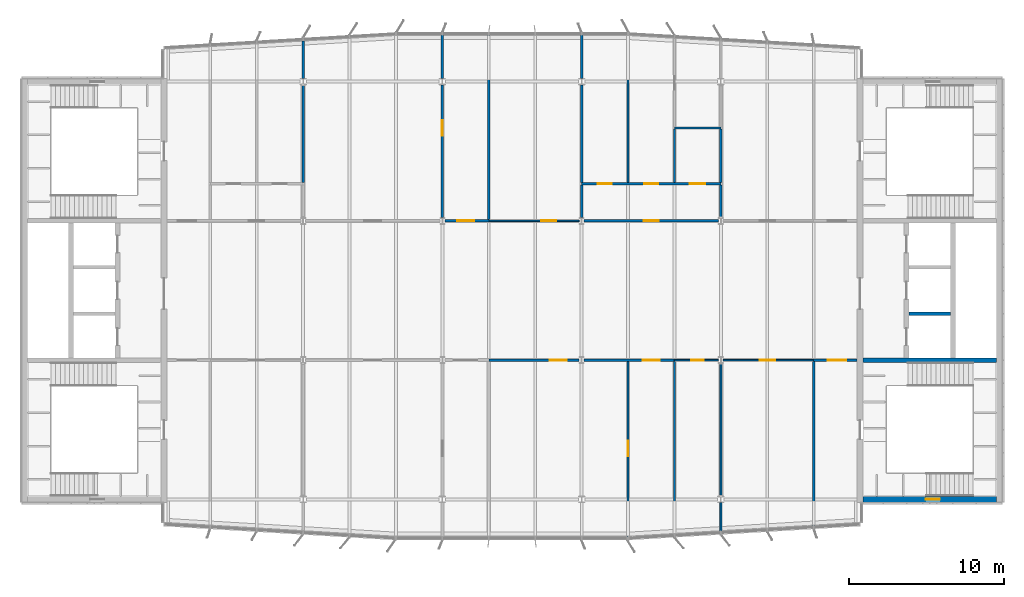
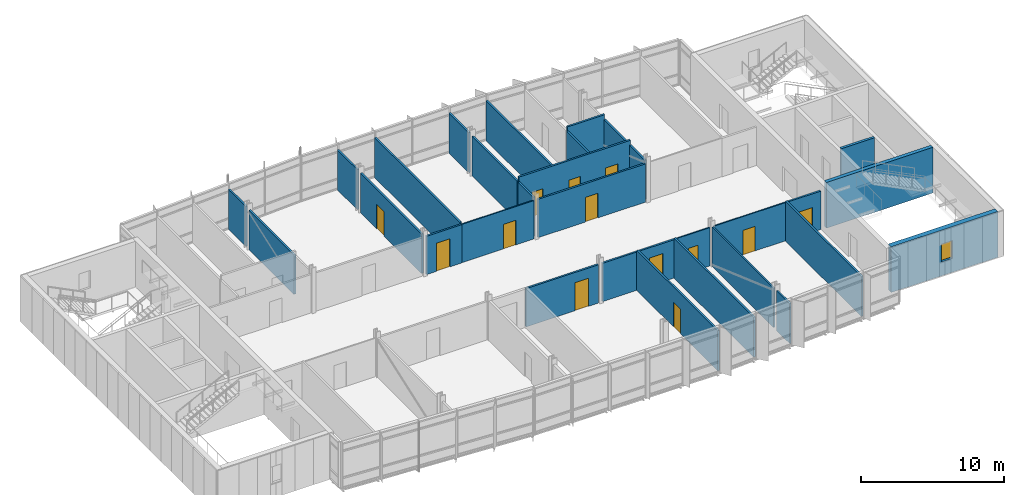
# One storey, part 13 of 18: 30 walls, 13 doors, 1 window, 14 openings.
"""IFC4 building model written with IfcOpenShell, lengths in metres."""

from ifc_helpers import new_model, si_unit, direction, frame, frame_2d, origin, place, context, subcontext, project, spatial, rectangle, extrude, material, layer, layer_set, type_object, element, fill, save


model = new_model("IFC4")

# Units and contexts
model_context = context("Model", 3, precision=1e-05, world=origin(), true_north=direction((0.0, 1.0)))
body_context = subcontext(model_context, "Body", "Model", "MODEL_VIEW")
ifc_project = project(units=[si_unit("LENGTHUNIT", "METRE"), si_unit("AREAUNIT", "SQUARE_METRE"), si_unit("VOLUMEUNIT", "CUBIC_METRE"), si_unit("PLANEANGLEUNIT", "RADIAN"), si_unit("MASSUNIT", "GRAM", prefix="KILO")], contexts=[model_context])

# Site, building, storey
site_placement = place(None, origin())
site = spatial("IfcSite", under=ifc_project, at=site_placement, CompositionType="ELEMENT")
building_placement = place(site_placement, origin())
building = spatial("IfcBuilding", under=site, at=building_placement, Name="Azimuth Sports and Learning Centre", CompositionType="ELEMENT")
storey_placement = place(building_placement, frame((0.0, 0.0, 63.60009765625)))
storey = spatial("IfcBuildingStorey", under=building, at=storey_placement, Name="L14", CompositionType="ELEMENT", Elevation=63.60009765625)

# Wall
ifc_material_1 = material(Name="Dense masonry blockwork", Category="masonry")
ifc_layer_1 = layer(ifc_material_1, 0.199951171875)
ifc_layer_set_1 = layer_set([ifc_layer_1], Name="Dense masonry blockwork")
wall_type_1 = type_object("IfcWallType", Name="Blockwork wall 200 EI 120", PredefinedType="SOLIDWALL", material=ifc_layer_set_1)
wall_1_placement = place(storey_placement, frame((111.14990234375, 102.0, 0.0), z_axis=(0.0, 0.0, 1.0), x_axis=(1.0, 0.0, 0.0)))
element("IfcWall", 1, at=wall_1_placement, inside=storey, type_object=wall_type_1, Name="SD-E-1-L14", PredefinedType="SOLIDWALL", context=body_context, shape_type="SweptSolid", body=[
    extrude(rectangle(XDim=2.7001953125, YDim=0.199951171875, at=frame_2d((1.35009765625, 0.0))), origin(), (0.0, 0.0, 1.0), 3.89990234375),
])

# Wall, opening, door
ifc_material_2 = material(Name="Gypsum board on steel studs", Category="steel")
ifc_layer_2 = layer(ifc_material_2, 0.10009765625)
ifc_layer_set_2 = layer_set([ifc_layer_2], Name="Gypsum board on steel studs")
wall_type_2 = type_object("IfcWallType", Name="Partition 100 EI 30", PredefinedType="PARTITIONING", material=ifc_layer_set_2)
wall_2_placement = place(storey_placement, frame((96.0, 99.0, 0.0), z_axis=(0.0, 0.0, 1.0), x_axis=(1.0, 0.0, 0.0)))
wall_2 = element("IfcWall", 2, at=wall_2_placement, inside=storey, type_object=wall_type_2, Name="Partition Cleaner Store 14.12 / Seminar Room 14.13", PredefinedType="PARTITIONING", context=body_context, shape_type="SweptSolid", body=[
    extrude(rectangle(XDim=2.846435546875, YDim=0.10009765625, at=frame_2d((1.42333984375, 0.0))), origin(), (0.0, 0.0, 1.0), 3.27001953125),
])
opening_1_placement = place(wall_2_placement, frame((1.10009765625, 0.0, 0.0)))
opening_1 = element("IfcOpeningElement", 3, at=opening_1_placement, cuts=wall_2, Name="Opening D14-020", PredefinedType="OPENING", context=body_context, shape_type="SweptSolid", body=[
    extrude(rectangle(XDim=0.800048828125, YDim=2.10009765625, at=frame_2d((0.39990234375, 1.050048828125))), frame((0.0, 0.06103515625, 0.0), z_axis=(0.0, -1.0, 0.0), x_axis=(1.0, 0.0, 0.0)), (0.0, 0.0, 1.0), 0.1220703125),
])
ifc_material_3 = material(Name="Painted steel door set", Category="steel")
door_type_1 = type_object("IfcDoorType", Name="Fire door FD30S 800 x 2100", OperationType="NOTDEFINED", PredefinedType="DOOR", material=ifc_material_3)
door_1_placement = place(opening_1_placement, frame((0.800048828125, 0.0, 0.0), z_axis=(0.0, 0.0, 1.0), x_axis=(-1.0, 0.0, 0.0)))
door_1 = element("IfcDoor", 4, at=door_1_placement, inside=storey, type_object=door_type_1, Name="Door Cleaner Store 14.12 / Learning Street", OperationType="SINGLE_SWING_LEFT", OverallHeight=2.10009765625, OverallWidth=0.800048828125, PredefinedType="DOOR", context=body_context, shape_type="SweptSolid", body=[
    extrude(rectangle(XDim=0.800048828125, YDim=2.10009765625, at=frame_2d((0.39990234375, 1.050048828125))), frame((0.0, 0.02490234375, 0.0), z_axis=(0.0, -1.0, 0.0), x_axis=(1.0, 0.0, 0.0)), (0.0, 0.0, 1.0), 0.050048828125),
])
fill(opening_1, door_1)

wall_3_placement = place(storey_placement, frame((99.153564453125, 99.0, 0.0), z_axis=(0.0, 0.0, 1.0), x_axis=(1.0, 0.0, 0.0)))
wall_3 = element("IfcWall", 5, at=wall_3_placement, inside=storey, type_object=wall_type_2, Name="Partition Cleaner Store 14.12 / Seminar Room 14.13", PredefinedType="PARTITIONING", context=body_context, shape_type="SweptSolid", body=[
    extrude(rectangle(XDim=5.846435546875, YDim=0.10009765625, at=frame_2d((2.92333984375, 0.0))), origin(), (0.0, 0.0, 1.0), 3.27001953125),
])
opening_2_placement = place(wall_3_placement, frame((2.346435546875, 0.0, 0.0)))
opening_2 = element("IfcOpeningElement", 6, at=opening_2_placement, cuts=wall_3, Name="Opening D14-021", PredefinedType="OPENING", context=body_context, shape_type="SweptSolid", body=[
    extrude(rectangle(XDim=1.0, YDim=2.10009765625, at=frame_2d((0.5, 1.050048828125))), frame((0.0, 0.06103515625, 0.0), z_axis=(0.0, -1.0, 0.0), x_axis=(1.0, 0.0, 0.0)), (0.0, 0.0, 1.0), 0.1220703125),
])
ifc_material_4 = material(Name="Painted steel door set", Category="steel")
door_type_2 = type_object("IfcDoorType", Name="Fire door FD30S 1000 x 2100", OperationType="NOTDEFINED", PredefinedType="DOOR", material=ifc_material_4)
door_2_placement = place(opening_2_placement, frame((1.0, 0.0, 0.0), z_axis=(0.0, 0.0, 1.0), x_axis=(-1.0, 0.0, 0.0)))
door_2 = element("IfcDoor", 7, at=door_2_placement, inside=storey, type_object=door_type_2, Name="Door Seminar Room 14.13 / Learning Street", OperationType="SINGLE_SWING_RIGHT", OverallHeight=2.10009765625, OverallWidth=1.0, PredefinedType="DOOR", context=body_context, shape_type="SweptSolid", body=[
    extrude(rectangle(XDim=1.0, YDim=2.10009765625, at=frame_2d((0.5, 1.050048828125))), frame((0.0, 0.02490234375, 0.0), z_axis=(0.0, -1.0, 0.0), x_axis=(1.0, 0.0, 0.0)), (0.0, 0.0, 1.0), 0.050048828125),
])
fill(opening_2, door_2)

wall_4_placement = place(storey_placement, frame((84.0, 108.0, 0.0), z_axis=(0.0, 0.0, 1.0), x_axis=(1.0, 0.0, 0.0)))
wall_4 = element("IfcWall", 8, at=wall_4_placement, inside=storey, type_object=wall_type_2, Name="Partition Classroom 14.19 / Learning Street", PredefinedType="PARTITIONING", context=body_context, shape_type="SweptSolid", body=[
    extrude(rectangle(XDim=5.846435546875, YDim=0.10009765625, at=frame_2d((2.92333984375, 0.0))), origin(), (0.0, 0.0, 1.0), 3.27001953125),
])
opening_3_placement = place(wall_4_placement, frame((3.375, 0.0, 0.0)))
opening_3 = element("IfcOpeningElement", 9, at=opening_3_placement, cuts=wall_4, Name="Opening D14-025", PredefinedType="OPENING", context=body_context, shape_type="SweptSolid", body=[
    extrude(rectangle(XDim=1.0, YDim=2.10009765625, at=frame_2d((0.5, 1.050048828125))), frame((0.0, 0.06103515625, 0.0), z_axis=(0.0, -1.0, 0.0), x_axis=(1.0, 0.0, 0.0)), (0.0, 0.0, 1.0), 0.1220703125),
])
door_3_placement = place(opening_3_placement, origin())
door_3 = element("IfcDoor", 10, at=door_3_placement, inside=storey, type_object=door_type_2, Name="Door Classroom 14.19 / Learning Street", OperationType="SINGLE_SWING_RIGHT", OverallHeight=2.10009765625, OverallWidth=1.0, PredefinedType="DOOR", context=body_context, shape_type="SweptSolid", body=[
    extrude(rectangle(XDim=1.0, YDim=2.10009765625, at=frame_2d((0.5, 1.050048828125))), frame((0.0, 0.02490234375, 0.0), z_axis=(0.0, -1.0, 0.0), x_axis=(1.0, 0.0, 0.0)), (0.0, 0.0, 1.0), 0.050048828125),
])
fill(opening_3, door_3)

# Walls
ifc_material_5 = material(Name="Gypsum board on steel studs, acoustic", Category="steel")
ifc_layer_3 = layer(ifc_material_5, 0.125)
ifc_layer_set_3 = layer_set([ifc_layer_3], Name="Gypsum board on steel studs, acoustic")
wall_type_3 = type_object("IfcWallType", Name="Partition 125 EI 60", PredefinedType="PARTITIONING", material=ifc_layer_set_3)
wall_5_placement = place(storey_placement, frame((99.0, 87.9599609375, 0.0), z_axis=(0.0, 0.0, 1.0), x_axis=(0.0, 1.0, 0.0)))
element("IfcWall", 11, at=wall_5_placement, inside=storey, type_object=wall_type_3, Name="Partition Cleaner Store 14.12 / Seminar Room 14.13", PredefinedType="PARTITIONING", context=body_context, shape_type="SweptSolid", body=[
    extrude(rectangle(XDim=1.822509765625, YDim=0.125, at=frame_2d((0.9111328125, 0.0))), origin(), (0.0, 0.0, 1.0), 3.409912109375),
])
wall_6_placement = place(storey_placement, frame((99.0, 90.217529296875, 0.0), z_axis=(0.0, 0.0, 1.0), x_axis=(0.0, 1.0, 0.0)))
element("IfcWall", 12, at=wall_6_placement, inside=storey, type_object=wall_type_3, Name="Partition Cleaner Store 14.12 / Seminar Room 14.13", PredefinedType="PARTITIONING", context=body_context, shape_type="SweptSolid", body=[
    extrude(rectangle(XDim=8.56640625, YDim=0.125, at=frame_2d((4.283203125, 0.0))), origin(), (0.0, 0.0, 1.0), 3.369873046875),
])

# Wall, opening, door
ifc_material_6 = material(Name="Lightweight blockwork, rendered", Category="masonry")
ifc_layer_4 = layer(ifc_material_6, 0.14990234375)
ifc_layer_set_4 = layer_set([ifc_layer_4], Name="Lightweight blockwork, rendered")
wall_type_4 = type_object("IfcWallType", Name="Partition 150 EI 60", PredefinedType="PARTITIONING", material=ifc_layer_set_4)
wall_7_placement = place(storey_placement, frame((84.0, 99.0, 0.0), z_axis=(0.0, 0.0, 1.0), x_axis=(1.0, 0.0, 0.0)))
wall_7 = element("IfcWall", 13, at=wall_7_placement, inside=storey, type_object=wall_type_4, Name="Partition Physics Laboratory 14.10 / Preparation Room 14.11", PredefinedType="PARTITIONING", context=body_context, shape_type="SweptSolid", body=[
    extrude(rectangle(XDim=5.846435546875, YDim=0.14990234375, at=frame_2d((2.92333984375, 0.0))), origin(), (0.0, 0.0, 1.0), 3.27001953125),
])
opening_4_placement = place(wall_7_placement, frame((3.949951171875, 0.0, 0.0)))
opening_4 = element("IfcOpeningElement", 14, at=opening_4_placement, cuts=wall_7, Name="Opening D14-018", PredefinedType="OPENING", context=body_context, shape_type="SweptSolid", body=[
    extrude(rectangle(XDim=1.10009765625, YDim=2.39990234375, at=frame_2d((0.550048828125, 1.199951171875))), frame((0.0, 0.0859375, 0.0), z_axis=(0.0, -1.0, 0.0), x_axis=(1.0, 0.0, 0.0)), (0.0, 0.0, 1.0), 0.171875),
])
ifc_material_7 = material(Name="Painted steel door set", Category="steel")
door_type_3 = type_object("IfcDoorType", Name="Fire door FD60 1100 x 2400", OperationType="NOTDEFINED", PredefinedType="DOOR", material=ifc_material_7)
door_4_placement = place(opening_4_placement, frame((1.10009765625, 0.0, 0.0), z_axis=(0.0, 0.0, 1.0), x_axis=(-1.0, 0.0, 0.0)))
door_4 = element("IfcDoor", 15, at=door_4_placement, inside=storey, type_object=door_type_3, Name="Door Physics Laboratory 14.10 / Learning Street", OperationType="SINGLE_SWING_LEFT", OverallHeight=2.39990234375, OverallWidth=1.10009765625, PredefinedType="DOOR", context=body_context, shape_type="SweptSolid", body=[
    extrude(rectangle(XDim=1.10009765625, YDim=2.39990234375, at=frame_2d((0.550048828125, 1.199951171875))), frame((0.0, 0.02490234375, 0.0), z_axis=(0.0, -1.0, 0.0), x_axis=(1.0, 0.0, 0.0)), (0.0, 0.0, 1.0), 0.050048828125),
])
fill(opening_4, door_4)

wall_8_placement = place(storey_placement, frame((90.153564453125, 99.0, 0.0), z_axis=(0.0, 0.0, 1.0), x_axis=(1.0, 0.0, 0.0)))
wall_8 = element("IfcWall", 16, at=wall_8_placement, inside=storey, type_object=wall_type_4, Name="Partition Physics Laboratory 14.10 / Preparation Room 14.11", PredefinedType="PARTITIONING", context=body_context, shape_type="SweptSolid", body=[
    extrude(rectangle(XDim=5.846435546875, YDim=0.14990234375, at=frame_2d((2.92333984375, 0.0))), origin(), (0.0, 0.0, 1.0), 3.27001953125),
])
opening_5_placement = place(wall_8_placement, frame((3.79638671875, 0.0, 0.0)))
opening_5 = element("IfcOpeningElement", 17, at=opening_5_placement, cuts=wall_8, Name="Opening D14-019", PredefinedType="OPENING", context=body_context, shape_type="SweptSolid", body=[
    extrude(rectangle(XDim=1.10009765625, YDim=2.39990234375, at=frame_2d((0.550048828125, 1.199951171875))), frame((0.0, 0.0859375, 0.0), z_axis=(0.0, -1.0, 0.0), x_axis=(1.0, 0.0, 0.0)), (0.0, 0.0, 1.0), 0.171875),
])
door_5_placement = place(opening_5_placement, frame((1.10009765625, 0.0, 0.0), z_axis=(0.0, 0.0, 1.0), x_axis=(-1.0, 0.0, 0.0)))
door_5 = element("IfcDoor", 18, at=door_5_placement, inside=storey, type_object=door_type_3, Name="Door Preparation Room 14.11 / Learning Street", OperationType="SINGLE_SWING_RIGHT", OverallHeight=2.39990234375, OverallWidth=1.10009765625, PredefinedType="DOOR", context=body_context, shape_type="SweptSolid", body=[
    extrude(rectangle(XDim=1.10009765625, YDim=2.39990234375, at=frame_2d((0.550048828125, 1.199951171875))), frame((0.0, 0.02490234375, 0.0), z_axis=(0.0, -1.0, 0.0), x_axis=(1.0, 0.0, 0.0)), (0.0, 0.0, 1.0), 0.050048828125),
])
fill(opening_5, door_5)

wall_9_placement = place(storey_placement, frame((105.0, 99.0, 0.0), z_axis=(0.0, 0.0, 1.0), x_axis=(1.0, 0.0, 0.0)))
wall_9 = element("IfcWall", 19, at=wall_9_placement, inside=storey, type_object=wall_type_4, Name="Partition Stair Lobby E1 14.03 / Learning Street", PredefinedType="PARTITIONING", context=body_context, shape_type="SweptSolid", body=[
    extrude(rectangle(XDim=2.800048828125, YDim=0.14990234375, at=frame_2d((1.39990234375, 0.0))), origin(), (0.0, 0.0, 1.0), 3.27001953125),
])
opening_6_placement = place(wall_9_placement, frame((0.89990234375, 0.0, 0.0)))
opening_6 = element("IfcOpeningElement", 20, at=opening_6_placement, cuts=wall_9, Name="Opening D14-013", PredefinedType="OPENING", context=body_context, shape_type="SweptSolid", body=[
    extrude(rectangle(XDim=1.199951171875, YDim=2.10009765625, at=frame_2d((0.60009765625, 1.050048828125))), frame((0.0, 0.0859375, 0.0), z_axis=(0.0, -1.0, 0.0), x_axis=(1.0, 0.0, 0.0)), (0.0, 0.0, 1.0), 0.171875),
])
ifc_material_8 = material(Name="Painted steel door set", Category="steel")
door_type_4 = type_object("IfcDoorType", Name="Fire door FD60 1200 x 2100", OperationType="NOTDEFINED", PredefinedType="DOOR", material=ifc_material_8)
door_6_placement = place(opening_6_placement, frame((1.199951171875, 0.0, 0.0), z_axis=(0.0, 0.0, 1.0), x_axis=(-1.0, 0.0, 0.0)))
door_6 = element("IfcDoor", 21, at=door_6_placement, inside=storey, type_object=door_type_4, Name="Door Stair Lobby E1 14.03 / Learning Street", OperationType="SINGLE_SWING_LEFT", OverallHeight=2.10009765625, OverallWidth=1.199951171875, PredefinedType="DOOR", context=body_context, shape_type="SweptSolid", body=[
    extrude(rectangle(XDim=1.199951171875, YDim=2.10009765625, at=frame_2d((0.60009765625, 1.050048828125))), frame((0.0, 0.02490234375, 0.0), z_axis=(0.0, -1.0, 0.0), x_axis=(1.0, 0.0, 0.0)), (0.0, 0.0, 1.0), 0.050048828125),
])
fill(opening_6, door_6)

wall_10_placement = place(storey_placement, frame((81.153564453125, 108.0, 0.0), z_axis=(0.0, 0.0, 1.0), x_axis=(1.0, 0.0, 0.0)))
wall_10 = element("IfcWall", 22, at=wall_10_placement, inside=storey, type_object=wall_type_4, Name="Partition Stair Lobby W2 14.02 / WC Lobby 14.14", PredefinedType="PARTITIONING", context=body_context, shape_type="SweptSolid", body=[
    extrude(rectangle(XDim=2.846435546875, YDim=0.14990234375, at=frame_2d((1.42333984375, 0.0))), origin(), (0.0, 0.0, 1.0), 3.27001953125),
])
opening_7_placement = place(wall_10_placement, frame((0.79638671875, 0.0, 0.0)))
opening_7 = element("IfcOpeningElement", 23, at=opening_7_placement, cuts=wall_10, Name="Opening D14-024", PredefinedType="OPENING", context=body_context, shape_type="SweptSolid", body=[
    extrude(rectangle(XDim=1.10009765625, YDim=2.39990234375, at=frame_2d((0.550048828125, 1.199951171875))), frame((0.0, 0.0859375, 0.0), z_axis=(0.0, -1.0, 0.0), x_axis=(1.0, 0.0, 0.0)), (0.0, 0.0, 1.0), 0.171875),
])
door_7_placement = place(opening_7_placement, origin())
door_7 = element("IfcDoor", 24, at=door_7_placement, inside=storey, type_object=door_type_3, Name="Door Preparation Room 14.18 / Learning Street", OperationType="SINGLE_SWING_LEFT", OverallHeight=2.39990234375, OverallWidth=1.10009765625, PredefinedType="DOOR", context=body_context, shape_type="SweptSolid", body=[
    extrude(rectangle(XDim=1.10009765625, YDim=2.39990234375, at=frame_2d((0.550048828125, 1.199951171875))), frame((0.0, 0.02490234375, 0.0), z_axis=(0.0, -1.0, 0.0), x_axis=(1.0, 0.0, 0.0)), (0.0, 0.0, 1.0), 0.050048828125),
])
fill(opening_7, door_7)

wall_11_placement = place(storey_placement, frame((90.153564453125, 108.0, 0.0), z_axis=(0.0, 0.0, 1.0), x_axis=(1.0, 0.0, 0.0)))
wall_11 = element("IfcWall", 25, at=wall_11_placement, inside=storey, type_object=wall_type_4, Name="Partition WC Lobby 14.20 / Learning Street", PredefinedType="PARTITIONING", context=body_context, shape_type="SweptSolid", body=[
    extrude(rectangle(XDim=8.69287109375, YDim=0.14990234375, at=frame_2d((4.346435546875, 0.0))), origin(), (0.0, 0.0, 1.0), 3.27001953125),
])
opening_8_placement = place(wall_11_placement, frame((3.846435546875, 0.0, 0.0)))
opening_8 = element("IfcOpeningElement", 26, at=opening_8_placement, cuts=wall_11, Name="Opening D14-026", PredefinedType="OPENING", context=body_context, shape_type="SweptSolid", body=[
    extrude(rectangle(XDim=1.0, YDim=2.10009765625, at=frame_2d((0.5, 1.050048828125))), frame((0.0, 0.0859375, 0.0), z_axis=(0.0, -1.0, 0.0), x_axis=(1.0, 0.0, 0.0)), (0.0, 0.0, 1.0), 0.171875),
])
ifc_material_9 = material(Name="Painted steel door set", Category="steel")
door_type_5 = type_object("IfcDoorType", Name="Fire door FD60 1000 x 2100", OperationType="NOTDEFINED", PredefinedType="DOOR", material=ifc_material_9)
door_8_placement = place(opening_8_placement, origin())
door_8 = element("IfcDoor", 27, at=door_8_placement, inside=storey, type_object=door_type_5, Name="Door WC Lobby 14.20 / Learning Street", OperationType="SINGLE_SWING_LEFT", OverallHeight=2.10009765625, OverallWidth=1.0, PredefinedType="DOOR", context=body_context, shape_type="SweptSolid", body=[
    extrude(rectangle(XDim=1.0, YDim=2.10009765625, at=frame_2d((0.5, 1.050048828125))), frame((0.0, 0.02490234375, 0.0), z_axis=(0.0, -1.0, 0.0), x_axis=(1.0, 0.0, 0.0)), (0.0, 0.0, 1.0), 0.050048828125),
])
fill(opening_8, door_8)

# Wall, openings, doors
wall_12_placement = place(storey_placement, frame((90.0, 110.39990234375, 0.0), z_axis=(0.0, 0.0, 1.0), x_axis=(1.0, 0.0, 0.0)))
wall_12 = element("IfcWall", 28, at=wall_12_placement, inside=storey, type_object=wall_type_4, Name="Partition WC Lobby 14.20 / Men WC 14.21", PredefinedType="PARTITIONING", context=body_context, shape_type="SweptSolid", body=[
    extrude(rectangle(XDim=9.0, YDim=0.14990234375, at=frame_2d((4.5, 0.0))), origin(), (0.0, 0.0, 1.0), 3.77001953125),
])
opening_9_placement = place(wall_12_placement, frame((1.050048828125, 0.0, 0.0)))
opening_9 = element("IfcOpeningElement", 29, at=opening_9_placement, cuts=wall_12, Name="Opening D14-033", PredefinedType="OPENING", context=body_context, shape_type="SweptSolid", body=[
    extrude(rectangle(XDim=0.89990234375, YDim=2.10009765625, at=frame_2d((0.449951171875, 1.050048828125))), frame((0.0, 0.0859375, 0.0), z_axis=(0.0, -1.0, 0.0), x_axis=(1.0, 0.0, 0.0)), (0.0, 0.0, 1.0), 0.171875),
])
opening_10_placement = place(wall_12_placement, frame((4.050048828125, 0.0, 0.0)))
opening_10 = element("IfcOpeningElement", 30, at=opening_10_placement, cuts=wall_12, Name="Opening D14-034", PredefinedType="OPENING", context=body_context, shape_type="SweptSolid", body=[
    extrude(rectangle(XDim=0.89990234375, YDim=2.10009765625, at=frame_2d((0.449951171875, 1.050048828125))), frame((0.0, 0.0859375, 0.0), z_axis=(0.0, -1.0, 0.0), x_axis=(1.0, 0.0, 0.0)), (0.0, 0.0, 1.0), 0.171875),
])
opening_11_placement = place(wall_12_placement, frame((7.0, 0.0, 0.0)))
opening_11 = element("IfcOpeningElement", 31, at=opening_11_placement, cuts=wall_12, Name="Opening D14-035", PredefinedType="OPENING", context=body_context, shape_type="SweptSolid", body=[
    extrude(rectangle(XDim=1.0, YDim=2.10009765625, at=frame_2d((0.5, 1.050048828125))), frame((0.0, 0.0859375, 0.0), z_axis=(0.0, -1.0, 0.0), x_axis=(1.0, 0.0, 0.0)), (0.0, 0.0, 1.0), 0.171875),
])
door_9_placement = place(opening_11_placement, origin())
door_9 = element("IfcDoor", 32, at=door_9_placement, inside=storey, type_object=door_type_5, Name="Door WC Lobby 14.20 / Accessible WC 14.23", OperationType="SINGLE_SWING_LEFT", OverallHeight=2.10009765625, OverallWidth=1.0, PredefinedType="DOOR", context=body_context, shape_type="SweptSolid", body=[
    extrude(rectangle(XDim=1.0, YDim=2.10009765625, at=frame_2d((0.5, 1.050048828125))), frame((0.0, 0.02490234375, 0.0), z_axis=(0.0, -1.0, 0.0), x_axis=(1.0, 0.0, 0.0)), (0.0, 0.0, 1.0), 0.050048828125),
])
fill(opening_11, door_9)
ifc_material_10 = material(Name="Painted steel door set", Category="steel")
door_type_6 = type_object("IfcDoorType", Name="Fire door FD60 900 x 2100", OperationType="NOTDEFINED", PredefinedType="DOOR", material=ifc_material_10)
door_10_placement = place(opening_9_placement, frame((0.89990234375, 0.0, 0.0), z_axis=(0.0, 0.0, 1.0), x_axis=(-1.0, 0.0, 0.0)))
door_10 = element("IfcDoor", 33, at=door_10_placement, inside=storey, type_object=door_type_6, Name="Door WC Lobby 14.20 / Men WC 14.21", OperationType="SINGLE_SWING_RIGHT", OverallHeight=2.10009765625, OverallWidth=0.89990234375, PredefinedType="DOOR", context=body_context, shape_type="SweptSolid", body=[
    extrude(rectangle(XDim=0.89990234375, YDim=2.10009765625, at=frame_2d((0.449951171875, 1.050048828125))), frame((0.0, 0.02490234375, 0.0), z_axis=(0.0, -1.0, 0.0), x_axis=(1.0, 0.0, 0.0)), (0.0, 0.0, 1.0), 0.050048828125),
])
fill(opening_9, door_10)
door_11_placement = place(opening_10_placement, frame((0.89990234375, 0.0, 0.0), z_axis=(0.0, 0.0, 1.0), x_axis=(-1.0, 0.0, 0.0)))
door_11 = element("IfcDoor", 34, at=door_11_placement, inside=storey, type_object=door_type_6, Name="Door WC Lobby 14.20 / Women WC 14.22", OperationType="SINGLE_SWING_RIGHT", OverallHeight=2.10009765625, OverallWidth=0.89990234375, PredefinedType="DOOR", context=body_context, shape_type="SweptSolid", body=[
    extrude(rectangle(XDim=0.89990234375, YDim=2.10009765625, at=frame_2d((0.449951171875, 1.050048828125))), frame((0.0, 0.02490234375, 0.0), z_axis=(0.0, -1.0, 0.0), x_axis=(1.0, 0.0, 0.0)), (0.0, 0.0, 1.0), 0.050048828125),
])
fill(opening_10, door_11)

# Walls
wall_13_placement = place(storey_placement, frame((96.0, 114.0, 0.0), z_axis=(0.0, 0.0, 1.0), x_axis=(1.0, 0.0, 0.0)))
element("IfcWall", 35, at=wall_13_placement, inside=storey, type_object=wall_type_4, Name="Partition Accessible WC 14.23 / Cleaner Store 14.24", PredefinedType="PARTITIONING", context=body_context, shape_type="SweptSolid", body=[
    extrude(rectangle(XDim=3.0, YDim=0.14990234375, at=frame_2d((1.5, 0.0))), origin(), (0.0, 0.0, 1.0), 3.77001953125),
])
wall_14_placement = place(storey_placement, frame((72.0, 110.47509765625, 0.0), z_axis=(0.0, 0.0, 1.0), x_axis=(0.0, 1.0, 0.0)))
element("IfcWall", 36, at=wall_14_placement, inside=storey, type_object=wall_type_4, Name="Partition WC Lobby 14.14 / Women WC 14.16", PredefinedType="PARTITIONING", context=body_context, shape_type="SweptSolid", body=[
    extrude(rectangle(XDim=6.307373046875, YDim=0.14990234375, at=frame_2d((3.15380859375, 0.0))), origin(), (0.0, 0.0, 1.0), 3.369873046875),
])
wall_15_placement = place(storey_placement, frame((72.0, 117.217529296875, 0.0), z_axis=(0.0, 0.0, 1.0), x_axis=(0.0, 1.0, 0.0)))
element("IfcWall", 37, at=wall_15_placement, inside=storey, type_object=wall_type_4, Name="Partition WC Lobby 14.14 / Women WC 14.16", PredefinedType="PARTITIONING", context=body_context, shape_type="SweptSolid", body=[
    extrude(rectangle(XDim=2.42236328125, YDim=0.14990234375, at=frame_2d((1.211181640625, 0.0))), origin(), (0.0, 0.0, 1.0), 3.409912109375),
])

# Wall, opening, door
wall_16_placement = place(storey_placement, frame((81.0, 108.216064453125, 0.0), z_axis=(0.0, 0.0, 1.0), x_axis=(0.0, 1.0, 0.0)))
wall_16 = element("IfcWall", 38, at=wall_16_placement, inside=storey, type_object=wall_type_4, Name="Partition Biology Laboratory 14.17 / Preparation Room 14.18", PredefinedType="PARTITIONING", context=body_context, shape_type="SweptSolid", body=[
    extrude(rectangle(XDim=8.56640625, YDim=0.14990234375, at=frame_2d((4.283203125, 0.0))), origin(), (0.0, 0.0, 1.0), 3.369873046875),
])
opening_12_placement = place(wall_16_placement, frame((5.283935546875, 0.0, 0.0)))
opening_12 = element("IfcOpeningElement", 39, at=opening_12_placement, cuts=wall_16, Name="Opening D14-032", PredefinedType="OPENING", context=body_context, shape_type="SweptSolid", body=[
    extrude(rectangle(XDim=1.0, YDim=2.10009765625, at=frame_2d((0.5, 1.050048828125))), frame((0.0, 0.0859375, 0.0), z_axis=(0.0, -1.0, 0.0), x_axis=(1.0, 0.0, 0.0)), (0.0, 0.0, 1.0), 0.171875),
])
door_12_placement = place(opening_12_placement, frame((1.0, 0.0, 0.0), z_axis=(0.0, 0.0, 1.0), x_axis=(-1.0, 0.0, 0.0)))
door_12 = element("IfcDoor", 40, at=door_12_placement, inside=storey, type_object=door_type_5, Name="Door Biology Laboratory 14.17 / Preparation Room 14.18", OperationType="SINGLE_SWING_LEFT", OverallHeight=2.10009765625, OverallWidth=1.0, PredefinedType="DOOR", context=body_context, shape_type="SweptSolid", body=[
    extrude(rectangle(XDim=1.0, YDim=2.10009765625, at=frame_2d((0.5, 1.050048828125))), frame((0.0, 0.02490234375, 0.0), z_axis=(0.0, -1.0, 0.0), x_axis=(1.0, 0.0, 0.0)), (0.0, 0.0, 1.0), 0.050048828125),
])
fill(opening_12, door_12)

# Walls
wall_17_placement = place(storey_placement, frame((81.0, 117.217529296875, 0.0), z_axis=(0.0, 0.0, 1.0), x_axis=(0.0, 1.0, 0.0)))
element("IfcWall", 41, at=wall_17_placement, inside=storey, type_object=wall_type_4, Name="Partition Biology Laboratory 14.17 / Preparation Room 14.18", PredefinedType="PARTITIONING", context=body_context, shape_type="SweptSolid", body=[
    extrude(rectangle(XDim=2.782470703125, YDim=0.14990234375, at=frame_2d((1.39111328125, 0.0))), origin(), (0.0, 0.0, 1.0), 3.409912109375),
])
wall_18_placement = place(storey_placement, frame((84.0, 108.074951171875, 0.0), z_axis=(0.0, 0.0, 1.0), x_axis=(0.0, 1.0, 0.0)))
element("IfcWall", 42, at=wall_18_placement, inside=storey, type_object=wall_type_4, Name="Partition Preparation Room 14.18 / Classroom 14.19", PredefinedType="PARTITIONING", context=body_context, shape_type="SweptSolid", body=[
    extrude(rectangle(XDim=11.925048828125, YDim=0.14990234375, at=frame_2d((5.96240234375, 0.0))), origin(), (0.0, 0.0, 1.0), 3.409912109375),
])
wall_19_placement = place(storey_placement, frame((90.0, 108.216064453125, 0.0), z_axis=(0.0, 0.0, 1.0), x_axis=(0.0, 1.0, 0.0)))
element("IfcWall", 43, at=wall_19_placement, inside=storey, type_object=wall_type_4, Name="Partition Classroom 14.19 / WC Lobby 14.20", PredefinedType="PARTITIONING", context=body_context, shape_type="SweptSolid", body=[
    extrude(rectangle(XDim=2.10888671875, YDim=0.14990234375, at=frame_2d((1.054443359375, 0.0))), origin(), (0.0, 0.0, 1.0), 3.369873046875),
])
wall_20_placement = place(storey_placement, frame((90.0, 110.47509765625, 0.0), z_axis=(0.0, 0.0, 1.0), x_axis=(0.0, 1.0, 0.0)))
element("IfcWall", 44, at=wall_20_placement, inside=storey, type_object=wall_type_4, Name="Partition Classroom 14.19 / WC Lobby 14.20", PredefinedType="PARTITIONING", context=body_context, shape_type="SweptSolid", body=[
    extrude(rectangle(XDim=6.307373046875, YDim=0.14990234375, at=frame_2d((3.15380859375, 0.0))), origin(), (0.0, 0.0, 1.0), 3.369873046875),
])
wall_21_placement = place(storey_placement, frame((90.0, 117.217529296875, 0.0), z_axis=(0.0, 0.0, 1.0), x_axis=(0.0, 1.0, 0.0)))
element("IfcWall", 45, at=wall_21_placement, inside=storey, type_object=wall_type_4, Name="Partition Classroom 14.19 / WC Lobby 14.20", PredefinedType="PARTITIONING", context=body_context, shape_type="SweptSolid", body=[
    extrude(rectangle(XDim=2.782470703125, YDim=0.14990234375, at=frame_2d((1.39111328125, 0.0))), origin(), (0.0, 0.0, 1.0), 3.409912109375),
])

# Wall, opening, door
wall_22_placement = place(storey_placement, frame((93.0, 87.60009765625, 0.0), z_axis=(0.0, 0.0, 1.0), x_axis=(0.0, 1.0, 0.0)))
wall_22 = element("IfcWall", 46, at=wall_22_placement, inside=storey, type_object=wall_type_4, Name="Partition Physics Laboratory 14.10 / Preparation Room 14.11", PredefinedType="PARTITIONING", context=body_context, shape_type="SweptSolid", body=[
    extrude(rectangle(XDim=11.324951171875, YDim=0.14990234375, at=frame_2d((5.66259765625, 0.0))), origin(), (0.0, 0.0, 1.0), 3.409912109375),
])
opening_13_placement = place(wall_22_placement, frame((5.199951171875, 0.0, 0.0)))
opening_13 = element("IfcOpeningElement", 47, at=opening_13_placement, cuts=wall_22, Name="Opening D14-029", PredefinedType="OPENING", context=body_context, shape_type="SweptSolid", body=[
    extrude(rectangle(XDim=1.0, YDim=2.10009765625, at=frame_2d((0.5, 1.050048828125))), frame((0.0, 0.0859375, 0.0), z_axis=(0.0, -1.0, 0.0), x_axis=(1.0, 0.0, 0.0)), (0.0, 0.0, 1.0), 0.171875),
])
door_13_placement = place(opening_13_placement, frame((1.0, 0.0, 0.0), z_axis=(0.0, 0.0, 1.0), x_axis=(-1.0, 0.0, 0.0)))
door_13 = element("IfcDoor", 48, at=door_13_placement, inside=storey, type_object=door_type_5, Name="Door Physics Laboratory 14.10 / Preparation Room 14.11", OperationType="SINGLE_SWING_LEFT", OverallHeight=2.10009765625, OverallWidth=1.0, PredefinedType="DOOR", context=body_context, shape_type="SweptSolid", body=[
    extrude(rectangle(XDim=1.0, YDim=2.10009765625, at=frame_2d((0.5, 1.050048828125))), frame((0.0, 0.02490234375, 0.0), z_axis=(0.0, -1.0, 0.0), x_axis=(1.0, 0.0, 0.0)), (0.0, 0.0, 1.0), 0.050048828125),
])
fill(opening_13, door_13)

# Walls
wall_23_placement = place(storey_placement, frame((93.0, 110.47509765625, 0.0), z_axis=(0.0, 0.0, 1.0), x_axis=(0.0, 1.0, 0.0)))
element("IfcWall", 49, at=wall_23_placement, inside=storey, type_object=wall_type_4, Name="Partition Men WC 14.21 / Women WC 14.22", PredefinedType="PARTITIONING", context=body_context, shape_type="SweptSolid", body=[
    extrude(rectangle(XDim=9.52490234375, YDim=0.14990234375, at=frame_2d((4.762451171875, 0.0))), origin(), (0.0, 0.0, 1.0), 3.409912109375),
])
wall_24_placement = place(storey_placement, frame((96.0, 87.780029296875, 0.0), z_axis=(0.0, 0.0, 1.0), x_axis=(0.0, 1.0, 0.0)))
element("IfcWall", 50, at=wall_24_placement, inside=storey, type_object=wall_type_4, Name="Partition Preparation Room 14.11 / Cleaner Store 14.12", PredefinedType="PARTITIONING", context=body_context, shape_type="SweptSolid", body=[
    extrude(rectangle(XDim=11.14501953125, YDim=0.14990234375, at=frame_2d((5.572509765625, 0.0))), origin(), (0.0, 0.0, 1.0), 3.409912109375),
])
wall_25_placement = place(storey_placement, frame((96.0, 110.47509765625, 0.0), z_axis=(0.0, 0.0, 1.0), x_axis=(0.0, 1.0, 0.0)))
element("IfcWall", 51, at=wall_25_placement, inside=storey, type_object=wall_type_4, Name="Partition Women WC 14.22 / Accessible WC 14.23", PredefinedType="PARTITIONING", context=body_context, shape_type="SweptSolid", body=[
    extrude(rectangle(XDim=3.449951171875, YDim=0.14990234375, at=frame_2d((1.72509765625, 0.0))), origin(), (0.0, 0.0, 1.0), 3.409912109375),
])
wall_26_placement = place(storey_placement, frame((99.0, 108.216064453125, 0.0), z_axis=(0.0, 0.0, 1.0), x_axis=(0.0, 1.0, 0.0)))
element("IfcWall", 52, at=wall_26_placement, inside=storey, type_object=wall_type_4, Name="Partition WC Lobby 14.20 / Accessible WC 14.23", PredefinedType="PARTITIONING", context=body_context, shape_type="SweptSolid", body=[
    extrude(rectangle(XDim=2.10888671875, YDim=0.14990234375, at=frame_2d((1.054443359375, 0.0))), origin(), (0.0, 0.0, 1.0), 3.369873046875),
])
wall_27_placement = place(storey_placement, frame((99.0, 110.47509765625, 0.0), z_axis=(0.0, 0.0, 1.0), x_axis=(0.0, 1.0, 0.0)))
element("IfcWall", 53, at=wall_27_placement, inside=storey, type_object=wall_type_4, Name="Partition WC Lobby 14.20 / Accessible WC 14.23", PredefinedType="PARTITIONING", context=body_context, shape_type="SweptSolid", body=[
    extrude(rectangle(XDim=3.449951171875, YDim=0.14990234375, at=frame_2d((1.72509765625, 0.0))), origin(), (0.0, 0.0, 1.0), 3.369873046875),
])
wall_28_placement = place(storey_placement, frame((105.0, 88.320068359375, 0.0), z_axis=(0.0, 0.0, 1.0), x_axis=(0.0, 1.0, 0.0)))
element("IfcWall", 54, at=wall_28_placement, inside=storey, type_object=wall_type_4, Name="Partition Stair Lobby E1 14.03 / Seminar Room 14.13", PredefinedType="PARTITIONING", context=body_context, shape_type="SweptSolid", body=[
    extrude(rectangle(XDim=10.60498046875, YDim=0.14990234375, at=frame_2d((5.302490234375, 0.0))), origin(), (0.0, 0.0, 1.0), 3.409912109375),
])
ifc_material_11 = material(Name="Concrete C40/50", Category="concrete")
ifc_layer_5 = layer(ifc_material_11, 0.300048828125)
ifc_layer_set_5 = layer_set([ifc_layer_5], Name="Concrete C40/50")
wall_type_5 = type_object("IfcWallType", Name="RC core wall 300", PredefinedType="SHEAR", material=ifc_layer_set_5)
wall_29_placement = place(storey_placement, frame((108.199951171875, 99.0, 0.0), z_axis=(0.0, 0.0, 1.0), x_axis=(1.0, 0.0, 0.0)))
element("IfcWall", 55, at=wall_29_placement, inside=storey, type_object=wall_type_5, Name="Core wall E D1 L14", PredefinedType="SHEAR", context=body_context, shape_type="SweptSolid", body=[
    extrude(rectangle(XDim=8.60009765625, YDim=0.300048828125, at=frame_2d((4.300048828125, 0.0))), origin(), (0.0, 0.0, 1.0), 3.89990234375),
])

# Wall, opening, window
ifc_material_12 = material(Name="Concrete C40/50", Category="concrete")
ifc_layer_6 = layer(ifc_material_12, 0.39990234375)
ifc_layer_set_6 = layer_set([ifc_layer_6], Name="Concrete C40/50")
wall_type_6 = type_object("IfcWallType", Name="RC external core wall 400", PredefinedType="SHEAR", material=ifc_layer_set_6)
wall_30_placement = place(storey_placement, frame((108.199951171875, 90.0, 0.0), z_axis=(0.0, 0.0, 1.0), x_axis=(1.0, 0.0, 0.0)))
wall_30 = element("IfcWall", 56, at=wall_30_placement, inside=storey, type_object=wall_type_6, Name="Core wall E S L14", PredefinedType="SHEAR", context=body_context, shape_type="SweptSolid", body=[
    extrude(rectangle(XDim=8.60009765625, YDim=0.39990234375, at=frame_2d((4.300048828125, 0.0))), origin(), (0.0, 0.0, 1.0), 3.89990234375),
])
opening_14_placement = place(wall_30_placement, frame((4.050048828125, 0.0, 1.199951171875)))
opening_14 = element("IfcOpeningElement", 57, at=opening_14_placement, cuts=wall_30, Name="Opening W14-002", PredefinedType="OPENING", context=body_context, shape_type="SweptSolid", body=[
    extrude(rectangle(XDim=0.89990234375, YDim=1.5, at=frame_2d((0.449951171875, 0.75))), frame((0.0, 0.2109375, 0.0), z_axis=(0.0, -1.0, 0.0), x_axis=(1.0, 0.0, 0.0)), (0.0, 0.0, 1.0), 0.421875),
])
ifc_material_13 = material(Name="Aluminium and glass", Category="aluminium")
window_type = type_object("IfcWindowType", Name="Stair window tower core 900x1500", PartitioningType="SINGLE_PANEL", PredefinedType="WINDOW", material=ifc_material_13)
window_placement = place(opening_14_placement, origin())
window = element("IfcWindow", 58, at=window_placement, inside=storey, type_object=window_type, Name="Window W14-002", OverallHeight=1.5, OverallWidth=0.89990234375, PartitioningType="SINGLE_PANEL", PredefinedType="WINDOW", context=body_context, shape_type="SweptSolid", body=[
    extrude(rectangle(XDim=0.89990234375, YDim=1.5, at=frame_2d((0.449951171875, 0.75))), frame((0.0, 0.030029296875, 0.0), z_axis=(0.0, -1.0, 0.0), x_axis=(1.0, 0.0, 0.0)), (0.0, 0.0, 1.0), 0.06005859375),
])
fill(opening_14, window)

save(model, "model.ifc")
